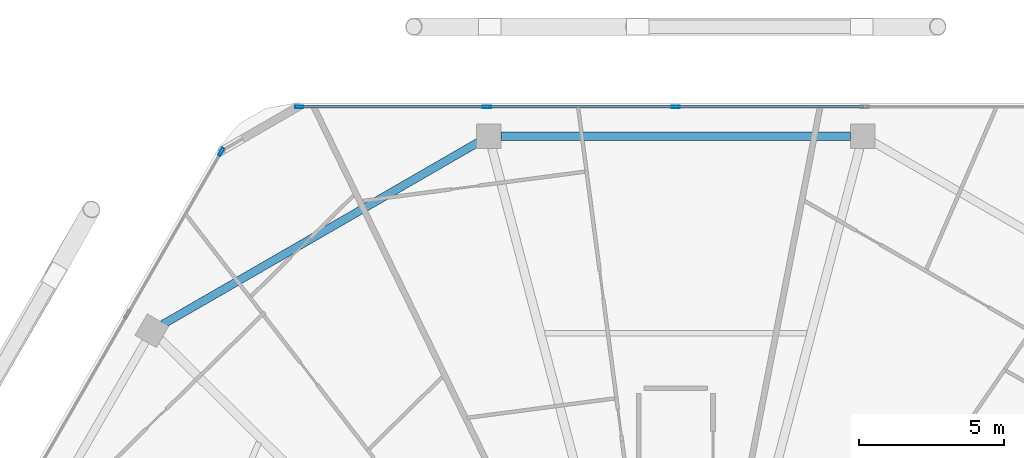
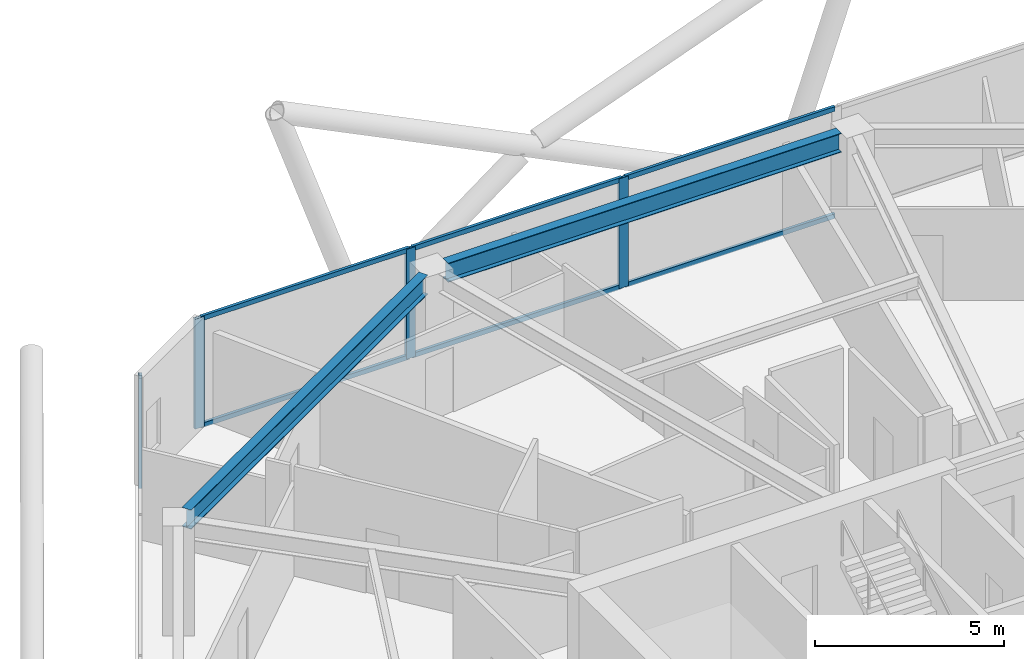
# One storey, part 15 of 28: 10 members, 2 beams, 2 elements without a shape of their own.
"""IFC4 building model written with IfcOpenShell, lengths in metres."""

from ifc_helpers import new_model, si_unit, direction, frame, origin, origin_2d, place, context, subcontext, project, spatial, hollow_rectangle, i_section, extrude, material, material_profile, profile_set, type_object, element, aggregate, save


model = new_model("IFC4")

# Units and contexts
model_context = context("Model", 3, precision=1e-05, world=origin(), true_north=direction((0.0, 1.0)))
body_context = subcontext(model_context, "Body", "Model", "MODEL_VIEW")
ifc_project = project(units=[si_unit("LENGTHUNIT", "METRE"), si_unit("AREAUNIT", "SQUARE_METRE"), si_unit("VOLUMEUNIT", "CUBIC_METRE"), si_unit("PLANEANGLEUNIT", "RADIAN"), si_unit("MASSUNIT", "GRAM", prefix="KILO")], contexts=[model_context])

# Site, building, storey
site_placement = place(None, origin())
site = spatial("IfcSite", under=ifc_project, at=site_placement, CompositionType="ELEMENT")
building_placement = place(site_placement, origin())
building = spatial("IfcBuilding", under=site, at=building_placement, Name="Zuhravey Tower", CompositionType="ELEMENT")
storey_placement = place(building_placement, frame((0.0, 0.0, 284.39990234375)))
storey = spatial("IfcBuildingStorey", under=building, at=storey_placement, Name="L72", CompositionType="ELEMENT", Elevation=284.39990234375)

# Curtain wall, member
ifc_material_1 = material(Name="Thermally broken anodised aluminium", Category="aluminium")
curtain_wall_type = type_object("IfcCurtainWallType", Name="Zone 3-4 High-Rise Curtain Wall CW4", PredefinedType="NOTDEFINED", material=ifc_material_1)
curtain_wall_1_placement = place(storey_placement, origin())
curtain_wall_1 = element("IfcCurtainWall", 1, at=curtain_wall_1_placement, inside=storey, type_object=curtain_wall_type, Name="L72 CW4 CW-L72-F3-1", PredefinedType="NOTDEFINED")
ifc_material_2 = material(Name="Anodised aluminium", Category="aluminium")
ifc_material_profile_1 = material_profile(ifc_material_2, hollow_rectangle(XDim=0.090087890625, YDim=0.284912109375, WallThickness=0.0048828125, at=origin_2d()), Name="ALU-RHS-90x285x5")
ifc_profile_set_1 = profile_set([ifc_material_profile_1], Name="Anodised aluminium")
member_type_1 = type_object("IfcMemberType", Name="Curtain-Wall Mullion 90x180", PredefinedType="MULLION", material=ifc_profile_set_1)
member_1_placement = place(storey_placement, frame((20.34521484375, 56.01220703125, 0.0), z_axis=(0.0, 0.0, 1.0), x_axis=(-0.866024851021, 0.500000957414, 0.0)))
member_1 = element("IfcMember", 2, at=member_1_placement, type_object=member_type_1, Name="CW4 mullion 5", PredefinedType="MULLION", context=body_context, shape_type="SweptSolid", body=[
    extrude(hollow_rectangle(XDim=0.090087890625, YDim=0.284912109375, WallThickness=0.0048828125, at=origin_2d()), origin(), (0.0, 0.0, 1.0), 3.550048828125),
])
aggregate(curtain_wall_1, [member_1])

# Curtain wall, members
curtain_wall_2_placement = place(storey_placement, origin())
curtain_wall_2 = element("IfcCurtainWall", 3, at=curtain_wall_2_placement, inside=storey, type_object=curtain_wall_type, Name="L72 CW4 CW-L72-F2-1", PredefinedType="NOTDEFINED")
member_2_placement = place(storey_placement, frame((23.0322265625, 57.563720703125, 0.0), z_axis=(0.0, 0.0, 1.0), x_axis=(0.0, 1.0, 0.0)))
member_2 = element("IfcMember", 4, at=member_2_placement, type_object=member_type_1, Name="CW4 mullion 1", PredefinedType="MULLION", context=body_context, shape_type="SweptSolid", body=[
    extrude(hollow_rectangle(XDim=0.090087890625, YDim=0.284912109375, WallThickness=0.0048828125, at=origin_2d()), origin(), (0.0, 0.0, 1.0), 3.550048828125),
])
member_3_placement = place(storey_placement, frame((29.49365234375, 57.563720703125, 0.0), z_axis=(0.0, 0.0, 1.0), x_axis=(0.0, 1.0, 0.0)))
member_3 = element("IfcMember", 5, at=member_3_placement, type_object=member_type_1, Name="CW4 mullion 2", PredefinedType="MULLION", context=body_context, shape_type="SweptSolid", body=[
    extrude(hollow_rectangle(XDim=0.090087890625, YDim=0.284912109375, WallThickness=0.0048828125, at=origin_2d()), origin(), (0.0, 0.0, 1.0), 3.550048828125),
])
member_4_placement = place(storey_placement, frame((36.0, 57.563720703125, 0.0), z_axis=(0.0, 0.0, 1.0), x_axis=(0.0, 1.0, 0.0)))
member_4 = element("IfcMember", 6, at=member_4_placement, type_object=member_type_1, Name="CW4 mullion 3", PredefinedType="MULLION", context=body_context, shape_type="SweptSolid", body=[
    extrude(hollow_rectangle(XDim=0.090087890625, YDim=0.284912109375, WallThickness=0.0048828125, at=origin_2d()), origin(), (0.0, 0.0, 1.0), 3.550048828125),
])
ifc_material_profile_2 = material_profile(ifc_material_2, hollow_rectangle(XDim=0.090087890625, YDim=0.14990234375, WallThickness=0.0048828125, at=origin_2d()), Name="ALU-RHS-90x150x5")
ifc_profile_set_2 = profile_set([ifc_material_profile_2], Name="Anodised aluminium")
member_type_2 = type_object("IfcMemberType", Name="Curtain-Wall Transom 90x150", PredefinedType="USERDEFINED", material=ifc_profile_set_2)
member_5_placement = place(storey_placement, frame((23.077392578125, 57.563720703125, 0.045166015625), z_axis=(1.0, 0.0, 0.0), x_axis=(0.0, 1.0, 0.0)))
member_5 = element("IfcMember", 7, at=member_5_placement, type_object=member_type_2, Name="CW4 transom 1.1", ObjectType="TRANSOM", PredefinedType="USERDEFINED", context=body_context, shape_type="SweptSolid", body=[
    extrude(hollow_rectangle(XDim=0.090087890625, YDim=0.14990234375, WallThickness=0.0048828125, at=origin_2d()), origin(), (0.0, 0.0, 1.0), 6.371337890625),
])
member_6_placement = place(storey_placement, frame((23.077392578125, 57.563720703125, 3.505126953125), z_axis=(1.0, 0.0, 0.0), x_axis=(0.0, 1.0, 0.0)))
member_6 = element("IfcMember", 8, at=member_6_placement, type_object=member_type_2, Name="CW4 transom 1.2", ObjectType="TRANSOM", PredefinedType="USERDEFINED", context=body_context, shape_type="SweptSolid", body=[
    extrude(hollow_rectangle(XDim=0.090087890625, YDim=0.14990234375, WallThickness=0.0048828125, at=origin_2d()), origin(), (0.0, 0.0, 1.0), 6.371337890625),
])
member_7_placement = place(storey_placement, frame((29.53857421875, 57.563720703125, 0.045166015625), z_axis=(1.0, 0.0, 0.0), x_axis=(0.0, 1.0, 0.0)))
member_7 = element("IfcMember", 9, at=member_7_placement, type_object=member_type_2, Name="CW4 transom 2.1", ObjectType="TRANSOM", PredefinedType="USERDEFINED", context=body_context, shape_type="SweptSolid", body=[
    extrude(hollow_rectangle(XDim=0.090087890625, YDim=0.14990234375, WallThickness=0.0048828125, at=origin_2d()), origin(), (0.0, 0.0, 1.0), 6.41650390625),
])
member_8_placement = place(storey_placement, frame((29.53857421875, 57.563720703125, 3.505126953125), z_axis=(1.0, 0.0, 0.0), x_axis=(0.0, 1.0, 0.0)))
member_8 = element("IfcMember", 10, at=member_8_placement, type_object=member_type_2, Name="CW4 transom 2.2", ObjectType="TRANSOM", PredefinedType="USERDEFINED", context=body_context, shape_type="SweptSolid", body=[
    extrude(hollow_rectangle(XDim=0.090087890625, YDim=0.14990234375, WallThickness=0.0048828125, at=origin_2d()), origin(), (0.0, 0.0, 1.0), 6.41650390625),
])
member_9_placement = place(storey_placement, frame((36.044921875, 57.563720703125, 0.045166015625), z_axis=(1.0, 0.0, 0.0), x_axis=(0.0, 1.0, 0.0)))
member_9 = element("IfcMember", 11, at=member_9_placement, type_object=member_type_2, Name="CW4 transom 3.1", ObjectType="TRANSOM", PredefinedType="USERDEFINED", context=body_context, shape_type="SweptSolid", body=[
    extrude(hollow_rectangle(XDim=0.090087890625, YDim=0.14990234375, WallThickness=0.0048828125, at=origin_2d()), origin(), (0.0, 0.0, 1.0), 6.41650390625),
])
member_10_placement = place(storey_placement, frame((36.044921875, 57.563720703125, 3.505126953125), z_axis=(1.0, 0.0, 0.0), x_axis=(0.0, 1.0, 0.0)))
member_10 = element("IfcMember", 12, at=member_10_placement, type_object=member_type_2, Name="CW4 transom 3.2", ObjectType="TRANSOM", PredefinedType="USERDEFINED", context=body_context, shape_type="SweptSolid", body=[
    extrude(hollow_rectangle(XDim=0.090087890625, YDim=0.14990234375, WallThickness=0.0048828125, at=origin_2d()), origin(), (0.0, 0.0, 1.0), 6.41650390625),
])
aggregate(curtain_wall_2, [member_2, member_3, member_4, member_5, member_6, member_7, member_8, member_9, member_10])

# Beams
ifc_material_3 = material(Name="Steel SM355", Category="steel")
ifc_material_profile_3 = material_profile(ifc_material_3, i_section(OverallWidth=0.280029296875, OverallDepth=0.6201171875, WebThickness=0.011962890625, FlangeThickness=0.02001953125, at=origin_2d()), Name="H-620x280x12x20")
ifc_profile_set_3 = profile_set([ifc_material_profile_3], Name="Steel SM355")
beam_type = type_object("IfcBeamType", Name="Perimeter Ring Beam H620x280", PredefinedType="BEAM", material=ifc_profile_set_3)
beam_1_placement = place(storey_placement, frame((42.012939453125, 56.5537109375, 3.239990234375), z_axis=(-1.0, 0.0, 0.0), x_axis=(0.0, -1.0, 0.0)))
element("IfcBeam", 13, at=beam_1_placement, inside=storey, type_object=beam_type, Name="L72 PB3 BM-L72-PB-03", PredefinedType="BEAM", context=body_context, shape_type="SweptSolid", body=[
    extrude(i_section(OverallWidth=0.280029296875, OverallDepth=0.6201171875, WebThickness=0.011962890625, FlangeThickness=0.02001953125, at=origin_2d()), origin(), (0.0, 0.0, 1.0), 12.02587890625),
])
beam_2_placement = place(storey_placement, frame((29.1884765625, 56.339599609375, 3.239990234375), z_axis=(-0.866018312875, -0.500012281615, 0.0), x_axis=(0.500012281615, -0.866018312875, 0.0)))
element("IfcBeam", 14, at=beam_2_placement, inside=storey, type_object=beam_type, Name="L72 PB3 BM-L72-PB-04", PredefinedType="BEAM", context=body_context, shape_type="SweptSolid", body=[
    extrude(i_section(OverallWidth=0.280029296875, OverallDepth=0.6201171875, WebThickness=0.011962890625, FlangeThickness=0.02001953125, at=origin_2d()), origin(), (0.0, 0.0, 1.0), 12.541748046875),
])

save(model, "model.ifc")
